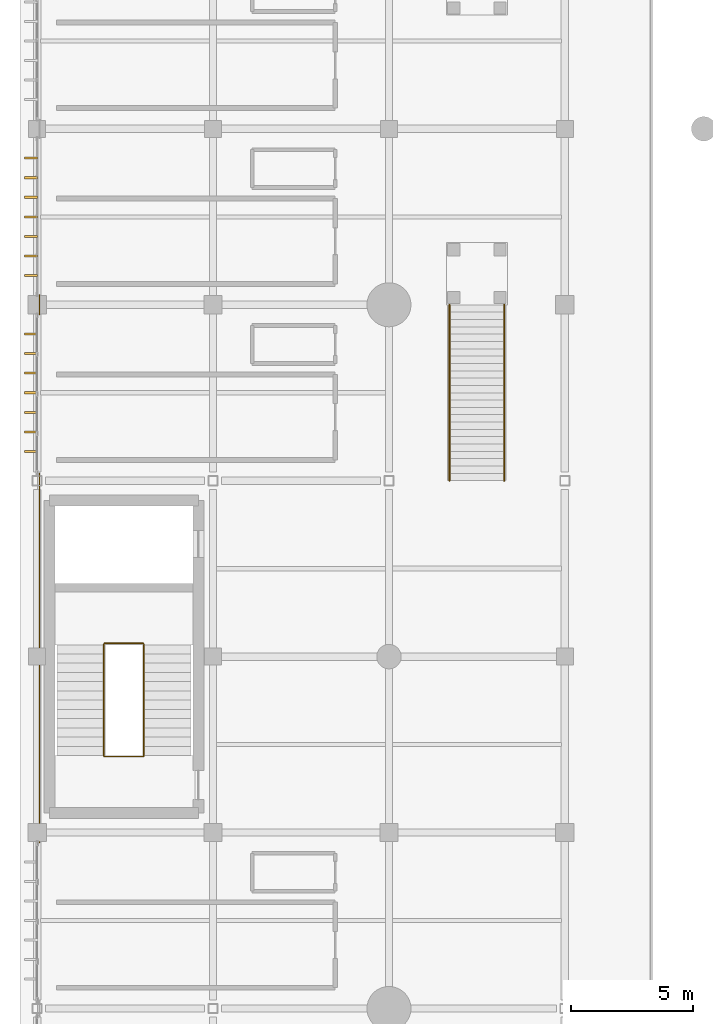
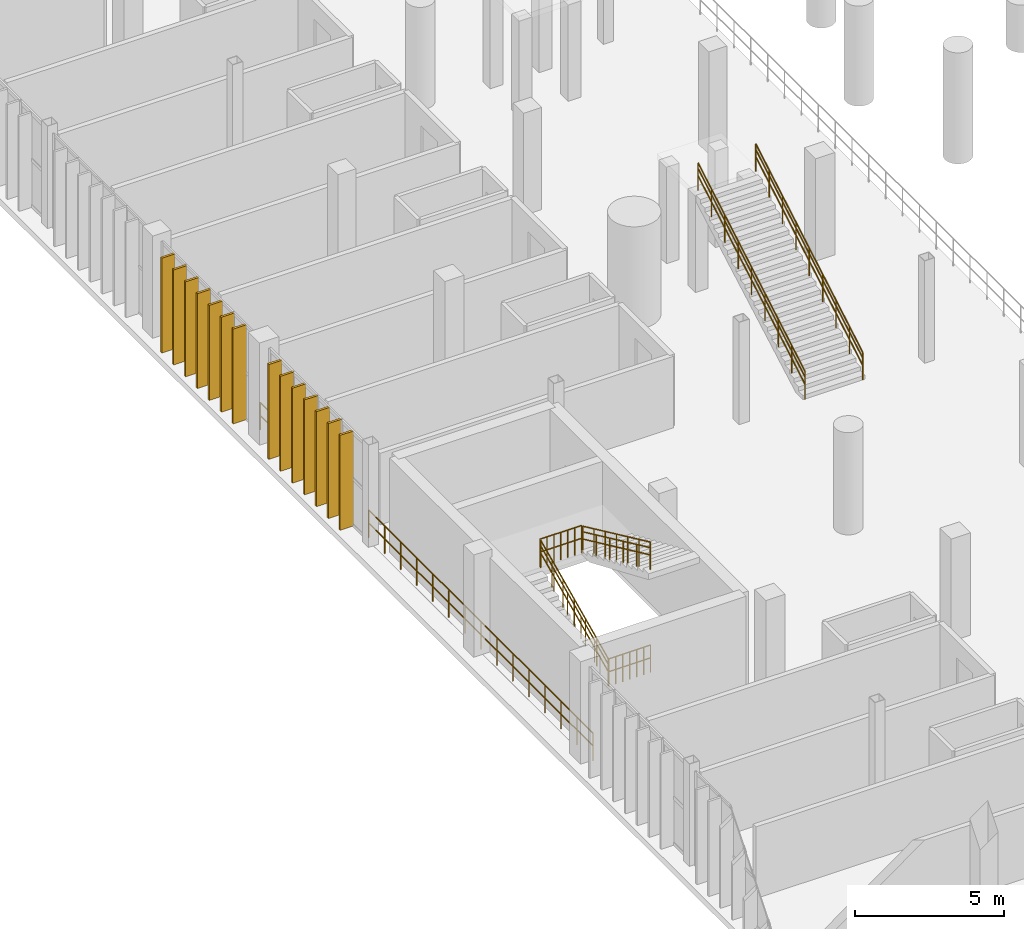
# One storey, part 117 of 130: 14 coverings, 12 railings.
"""IFC4 building model written with IfcOpenShell, lengths in metres."""

from ifc_helpers import new_model, si_unit, direction, frame, origin, origin_2d, place, context, subcontext, project, spatial, rectangle, circle, extrude, material, layer, layer_set, type_object, element, save


model = new_model("IFC4")

# Units and contexts
model_context = context("Model", 3, precision=1e-05, world=origin(), true_north=direction((0.0, 1.0)))
body_context = subcontext(model_context, "Body", "Model", "MODEL_VIEW")
ifc_project = project(units=[si_unit("LENGTHUNIT", "METRE"), si_unit("AREAUNIT", "SQUARE_METRE"), si_unit("VOLUMEUNIT", "CUBIC_METRE"), si_unit("PLANEANGLEUNIT", "RADIAN"), si_unit("MASSUNIT", "GRAM", prefix="KILO")], contexts=[model_context])

# Site, building, storey
site_placement = place(None, origin())
site = spatial("IfcSite", under=ifc_project, at=site_placement, CompositionType="ELEMENT")
building_placement = place(site_placement, origin())
building = spatial("IfcBuilding", under=site, at=building_placement, Name="Qandorah Velis Arena", CompositionType="ELEMENT")
storey_placement = place(building_placement, frame((0.0, 0.0, 9.60009765625)))
storey = spatial("IfcBuildingStorey", under=building, at=storey_placement, Name="L02", CompositionType="ELEMENT", Elevation=9.60009765625)

# Coverings
ifc_material_1 = material(Name="Champagne-bronze anodized aluminium 6063-T6", Category="aluminium")
ifc_layer = layer(ifc_material_1, 0.0849609375)
ifc_layer_set = layer_set([ifc_layer], Name="Champagne-bronze anodized aluminium 6063-T6")
covering_type = type_object("IfcCoveringType", Name="ARC-COV-FIN520", PredefinedType="CLADDING", material=ifc_layer_set)
for number, where, z_axis, x_axis, name in (
    (1, (-0.251953125, 51.60009765625, -0.010009765625), (0.0, 0.0, 1.0), (1.0, 0.0, 0.0), "Vertical champagne-bronze solar fin blade WNG-W-L02-07-001"),
    (2, (-0.251953125, 52.39990234375, -0.010009765625), (0.0, 0.0, 1.0), (1.0, 0.0, 0.0), "Vertical champagne-bronze solar fin blade WNG-W-L02-07-002"),
    (3, (-0.251953125, 53.199951171875, -0.010009765625), (0.0, 0.0, 1.0), (1.0, 0.0, 0.0), "Vertical champagne-bronze solar fin blade WNG-W-L02-07-003"),
    (4, (-0.251953125, 54.0, -0.010009765625), (0.0, 0.0, 1.0), (1.0, 0.0, 0.0), "Vertical champagne-bronze solar fin blade WNG-W-L02-07-004"),
    (5, (-0.251953125, 54.800048828125, -0.010009765625), (0.0, 0.0, 1.0), (1.0, 0.0, 0.0), "Vertical champagne-bronze solar fin blade WNG-W-L02-07-005"),
    (6, (-0.251953125, 55.60009765625, -0.010009765625), (0.0, 0.0, 1.0), (1.0, 0.0, 0.0), "Vertical champagne-bronze solar fin blade WNG-W-L02-07-006"),
    (7, (-0.251953125, 56.39990234375, -0.010009765625), (0.0, 0.0, 1.0), (1.0, 0.0, 0.0), "Vertical champagne-bronze solar fin blade WNG-W-L02-07-007"),
    (8, (-0.251953125, 58.800048828125, -0.010009765625), (0.0, 0.0, 1.0), (1.0, 0.0, 0.0), "Vertical champagne-bronze solar fin blade WNG-W-L02-08-001"),
    (9, (-0.251953125, 59.60009765625, -0.010009765625), (0.0, 0.0, 1.0), (1.0, 0.0, 0.0), "Vertical champagne-bronze solar fin blade WNG-W-L02-08-002"),
    (10, (-0.251953125, 60.39990234375, -0.010009765625), (0.0, 0.0, 1.0), (1.0, 0.0, 0.0), "Vertical champagne-bronze solar fin blade WNG-W-L02-08-003"),
    (11, (-0.251953125, 61.199951171875, -0.010009765625), (0.0, 0.0, 1.0), (1.0, 0.0, 0.0), "Vertical champagne-bronze solar fin blade WNG-W-L02-08-004"),
    (12, (-0.251953125, 62.0, -0.010009765625), (0.0, 0.0, 1.0), (1.0, 0.0, 0.0), "Vertical champagne-bronze solar fin blade WNG-W-L02-08-005"),
    (13, (-0.251953125, 62.800048828125, -0.010009765625), (0.0, 0.0, 1.0), (1.0, 0.0, 0.0), "Vertical champagne-bronze solar fin blade WNG-W-L02-08-006"),
    (14, (-0.251953125, 63.60009765625, -0.010009765625), (0.0, 0.0, 1.0), (1.0, 0.0, 0.0), "Vertical champagne-bronze solar fin blade WNG-W-L02-08-007"),
):
    element("IfcCovering", number, at=place(storey_placement, frame(where, z_axis=z_axis, x_axis=x_axis)), inside=storey, type_object=covering_type, Name=name, PredefinedType="CLADDING", context=body_context, shape_type="SweptSolid", body=[
        extrude(rectangle(XDim=0.52001953125, YDim=0.0849609375, at=origin_2d()), origin(), (0.0, 0.0, 1.0), 3.89990234375),
    ])

# Railings
ifc_material_2 = material(Name="Stainless steel 316", Category="steel")
railing_type_1 = type_object("IfcRailingType", Name="ARC-RL-GRD1150", PredefinedType="GUARDRAIL", material=ifc_material_2)
for number, where, name in (
    (15, (2.739990234375, 39.110107421875, 0.0), "Stair ST5 landing well-slot guardrail L02"),
    (16, (2.739990234375, 43.74609375, 2.099853515625), "Stair ST5 well guardrail (L02)"),
):
    element("IfcRailing", number, at=place(storey_placement, frame(where)), inside=storey, type_object=railing_type_1, Name=name, PredefinedType="GUARDRAIL", context=body_context, shape_type="SweptSolid", body=[
        extrude(circle(Radius=0.02392578125, at=origin_2d()), frame((0.0, 0.0, 1.1259765625), z_axis=(1.0, 0.0, 0.0), x_axis=(0.0, 1.0, 0.0)), (0.0, 0.0, 1.0), 1.6201171875),
        extrude(circle(Radius=0.02392578125, at=origin_2d()), frame((0.0, 0.0, 0.597900390625), z_axis=(1.0, 0.0, 0.0), x_axis=(0.0, 1.0, 0.0)), (0.0, 0.0, 1.0), 1.6201171875),
        extrude(circle(Radius=0.02099609375, at=origin_2d()), origin(), (0.0, 0.0, 1.0), 1.101806640625),
        extrude(circle(Radius=0.02099609375, at=origin_2d()), frame((0.27001953125, 0.0, 0.0)), (0.0, 0.0, 1.0), 1.101806640625),
        extrude(circle(Radius=0.02099609375, at=origin_2d()), frame((0.5400390625, 0.0, 0.0)), (0.0, 0.0, 1.0), 1.101806640625),
        extrude(circle(Radius=0.02099609375, at=origin_2d()), frame((0.81005859375, 0.0, 0.0)), (0.0, 0.0, 1.0), 1.101806640625),
        extrude(circle(Radius=0.02099609375, at=origin_2d()), frame((1.080078125, 0.0, 0.0)), (0.0, 0.0, 1.0), 1.101806640625),
        extrude(circle(Radius=0.02099609375, at=origin_2d()), frame((1.35009765625, 0.0, 0.0)), (0.0, 0.0, 1.0), 1.101806640625),
        extrude(circle(Radius=0.02099609375, at=origin_2d()), frame((1.6201171875, 0.0, 0.0)), (0.0, 0.0, 1.0), 1.101806640625),
    ])
railing_1_placement = place(storey_placement, frame((2.72998046875, 39.14990234375, 0.0)))
element("IfcRailing", 17, at=railing_1_placement, inside=storey, type_object=railing_type_1, Name="Stair ST5 inner flight 1 guardrail (L02)", PredefinedType="GUARDRAIL", context=body_context, shape_type="SweptSolid", body=[
    extrude(circle(Radius=0.02392578125, at=origin_2d()), frame((0.0, 0.0, 1.1259765625), z_axis=(0.0, 0.907482768716, 0.420089305367), x_axis=(-1.0, 0.0, 0.0)), (0.0, 0.0, 1.0), 4.99853515625),
    extrude(circle(Radius=0.02392578125, at=origin_2d()), frame((0.0, 0.0, 0.597900390625), z_axis=(0.0, 0.907482768716, 0.420089305367), x_axis=(-1.0, 0.0, 0.0)), (0.0, 0.0, 1.0), 4.99853515625),
    extrude(circle(Radius=0.02099609375, at=origin_2d()), origin(), (0.0, 0.0, 1.0), 1.101806640625),
    extrude(circle(Radius=0.02099609375, at=origin_2d()), frame((0.0, 0.756103515625, 0.35009765625)), (0.0, 0.0, 1.0), 1.101806640625),
    extrude(circle(Radius=0.02099609375, at=origin_2d()), frame((0.0, 1.511962890625, 0.699951171875)), (0.0, 0.0, 1.0), 1.101806640625),
    extrude(circle(Radius=0.02099609375, at=origin_2d()), frame((0.0, 2.26806640625, 1.0498046875)), (0.0, 0.0, 1.0), 1.101806640625),
    extrude(circle(Radius=0.02099609375, at=origin_2d()), frame((0.0, 3.024169921875, 1.39990234375)), (0.0, 0.0, 1.0), 1.101806640625),
    extrude(circle(Radius=0.02099609375, at=origin_2d()), frame((0.0, 3.780029296875, 1.75)), (0.0, 0.0, 1.0), 1.101806640625),
    extrude(circle(Radius=0.02099609375, at=origin_2d()), frame((0.0, 4.5361328125, 2.099853515625)), (0.0, 0.0, 1.0), 1.101806640625),
])
railing_2_placement = place(storey_placement, frame((4.3701171875, 43.68603515625, 2.099853515625)))
element("IfcRailing", 18, at=railing_2_placement, inside=storey, type_object=railing_type_1, Name="Stair ST5 inner flight 2 guardrail (L02)", PredefinedType="GUARDRAIL", context=body_context, shape_type="SweptSolid", body=[
    extrude(circle(Radius=0.02392578125, at=origin_2d()), frame((0.0, 0.0, 1.1259765625), z_axis=(0.0, -0.907464148506, 0.420129526666), x_axis=(1.0, 0.0, 0.0)), (0.0, 0.0, 1.0), 4.998779296875),
    extrude(circle(Radius=0.02392578125, at=origin_2d()), frame((0.0, 0.0, 0.597900390625), z_axis=(0.0, -0.907464148506, 0.420129526666), x_axis=(1.0, 0.0, 0.0)), (0.0, 0.0, 1.0), 4.998779296875),
    extrude(circle(Radius=0.02099609375, at=origin_2d()), origin(), (0.0, 0.0, 1.0), 1.101806640625),
    extrude(circle(Radius=0.02099609375, at=origin_2d()), frame((0.0, -0.756103515625, 0.35009765625)), (0.0, 0.0, 1.0), 1.101806640625),
    extrude(circle(Radius=0.02099609375, at=origin_2d()), frame((0.0, -1.511962890625, 0.699951171875)), (0.0, 0.0, 1.0), 1.101806640625),
    extrude(circle(Radius=0.02099609375, at=origin_2d()), frame((0.0, -2.26806640625, 1.050048828125)), (0.0, 0.0, 1.0), 1.101806640625),
    extrude(circle(Radius=0.02099609375, at=origin_2d()), frame((0.0, -3.024169921875, 1.400146484375)), (0.0, 0.0, 1.0), 1.101806640625),
    extrude(circle(Radius=0.02099609375, at=origin_2d()), frame((0.0, -3.780029296875, 1.75)), (0.0, 0.0, 1.0), 1.101806640625),
    extrude(circle(Radius=0.02099609375, at=origin_2d()), frame((0.0, -4.5361328125, 2.10009765625)), (0.0, 0.0, 1.0), 1.101806640625),
])
for number, where, name in (
    (19, (16.8798828125, 50.39990234375, 0.0), "Vomitory VS15 left guard (L02)"),
    (20, (19.1201171875, 50.39990234375, 0.0), "Vomitory VS15 right guard (L02)"),
):
    element("IfcRailing", number, at=place(storey_placement, frame(where)), inside=storey, type_object=railing_type_1, Name=name, PredefinedType="GUARDRAIL", context=body_context, shape_type="SweptSolid", body=[
        extrude(circle(Radius=0.02392578125, at=origin_2d()), frame((0.0, 0.0, 1.1259765625), z_axis=(0.0, 0.863787399101, 0.503856456895), x_axis=(-1.0, 0.0, 0.0)), (0.0, 0.0, 1.0), 8.335693359375),
        extrude(circle(Radius=0.02392578125, at=origin_2d()), frame((0.0, 0.0, 0.597900390625), z_axis=(0.0, 0.863787399101, 0.503856456895), x_axis=(-1.0, 0.0, 0.0)), (0.0, 0.0, 1.0), 8.335693359375),
        extrude(circle(Radius=0.02099609375, at=origin_2d()), origin(), (0.0, 0.0, 1.0), 1.101806640625),
        extrude(circle(Radius=0.02099609375, at=origin_2d()), frame((0.0, 0.89990234375, 0.52490234375)), (0.0, 0.0, 1.0), 1.101806640625),
        extrude(circle(Radius=0.02099609375, at=origin_2d()), frame((0.0, 1.800048828125, 1.050048828125)), (0.0, 0.0, 1.0), 1.101806640625),
        extrude(circle(Radius=0.02099609375, at=origin_2d()), frame((0.0, 2.7001953125, 1.574951171875)), (0.0, 0.0, 1.0), 1.101806640625),
        extrude(circle(Radius=0.02099609375, at=origin_2d()), frame((0.0, 3.60009765625, 2.10009765625)), (0.0, 0.0, 1.0), 1.101806640625),
        extrude(circle(Radius=0.02099609375, at=origin_2d()), frame((0.0, 4.5, 2.625)), (0.0, 0.0, 1.0), 1.101806640625),
        extrude(circle(Radius=0.02099609375, at=origin_2d()), frame((0.0, 5.400146484375, 3.14990234375)), (0.0, 0.0, 1.0), 1.101806640625),
        extrude(circle(Radius=0.02099609375, at=origin_2d()), frame((0.0, 6.30029296875, 3.675048828125)), (0.0, 0.0, 1.0), 1.101806640625),
        extrude(circle(Radius=0.02099609375, at=origin_2d()), frame((0.0, 7.2001953125, 4.199951171875)), (0.0, 0.0, 1.0), 1.101806640625),
    ])
railing_3_placement = place(storey_placement, frame((0.10009765625, 35.60009765625, 0.0)))
element("IfcRailing", 21, at=railing_3_placement, inside=storey, type_object=railing_type_1, Name="Slab edge safety guardrail L02-135", PredefinedType="GUARDRAIL", context=body_context, shape_type="SweptSolid", body=[
    extrude(circle(Radius=0.02392578125, at=origin_2d()), frame((0.0, 0.0, 1.1259765625), z_axis=(0.0, 1.0, 0.0), x_axis=(-1.0, 0.0, 0.0)), (0.0, 0.0, 1.0), 15.099853515625),
    extrude(circle(Radius=0.02392578125, at=origin_2d()), frame((0.0, 0.0, 0.597900390625), z_axis=(0.0, 1.0, 0.0), x_axis=(-1.0, 0.0, 0.0)), (0.0, 0.0, 1.0), 15.099853515625),
    extrude(circle(Radius=0.02099609375, at=origin_2d()), origin(), (0.0, 0.0, 1.0), 1.101806640625),
    extrude(circle(Radius=0.02099609375, at=origin_2d()), frame((0.0, 1.07861328125, 0.0)), (0.0, 0.0, 1.0), 1.101806640625),
    extrude(circle(Radius=0.02099609375, at=origin_2d()), frame((0.0, 2.1572265625, 0.0)), (0.0, 0.0, 1.0), 1.101806640625),
    extrude(circle(Radius=0.02099609375, at=origin_2d()), frame((0.0, 3.235595703125, 0.0)), (0.0, 0.0, 1.0), 1.101806640625),
    extrude(circle(Radius=0.02099609375, at=origin_2d()), frame((0.0, 4.314208984375, 0.0)), (0.0, 0.0, 1.0), 1.101806640625),
    extrude(circle(Radius=0.02099609375, at=origin_2d()), frame((0.0, 5.392822265625, 0.0)), (0.0, 0.0, 1.0), 1.101806640625),
    extrude(circle(Radius=0.02099609375, at=origin_2d()), frame((0.0, 6.471435546875, 0.0)), (0.0, 0.0, 1.0), 1.101806640625),
    extrude(circle(Radius=0.02099609375, at=origin_2d()), frame((0.0, 7.5498046875, 0.0)), (0.0, 0.0, 1.0), 1.101806640625),
    extrude(circle(Radius=0.02099609375, at=origin_2d()), frame((0.0, 8.62841796875, 0.0)), (0.0, 0.0, 1.0), 1.101806640625),
    extrude(circle(Radius=0.02099609375, at=origin_2d()), frame((0.0, 9.70703125, 0.0)), (0.0, 0.0, 1.0), 1.101806640625),
    extrude(circle(Radius=0.02099609375, at=origin_2d()), frame((0.0, 10.78564453125, 0.0)), (0.0, 0.0, 1.0), 1.101806640625),
    extrude(circle(Radius=0.02099609375, at=origin_2d()), frame((0.0, 11.8642578125, 0.0)), (0.0, 0.0, 1.0), 1.101806640625),
    extrude(circle(Radius=0.02099609375, at=origin_2d()), frame((0.0, 12.942626953125, 0.0)), (0.0, 0.0, 1.0), 1.101806640625),
    extrude(circle(Radius=0.02099609375, at=origin_2d()), frame((0.0, 14.021240234375, 0.0)), (0.0, 0.0, 1.0), 1.101806640625),
    extrude(circle(Radius=0.02099609375, at=origin_2d()), frame((0.0, 15.099853515625, 0.0)), (0.0, 0.0, 1.0), 1.101806640625),
])
railing_4_placement = place(storey_placement, frame((0.10009765625, 57.199951171875, 0.0)))
element("IfcRailing", 22, at=railing_4_placement, inside=storey, type_object=railing_type_1, Name="Slab edge safety guardrail L02-136", PredefinedType="GUARDRAIL", context=body_context, shape_type="SweptSolid", body=[
    extrude(circle(Radius=0.02392578125, at=origin_2d()), frame((0.0, 0.0, 1.1259765625), z_axis=(0.0, 1.0, 0.0), x_axis=(-1.0, 0.0, 0.0)), (0.0, 0.0, 1.0), 0.800048828125),
    extrude(circle(Radius=0.02392578125, at=origin_2d()), frame((0.0, 0.0, 0.597900390625), z_axis=(0.0, 1.0, 0.0), x_axis=(-1.0, 0.0, 0.0)), (0.0, 0.0, 1.0), 0.800048828125),
    extrude(circle(Radius=0.02099609375, at=origin_2d()), origin(), (0.0, 0.0, 1.0), 1.101806640625),
    extrude(circle(Radius=0.02099609375, at=origin_2d()), frame((0.0, 0.800048828125, 0.0)), (0.0, 0.0, 1.0), 1.101806640625),
])
railing_type_2 = type_object("IfcRailingType", Name="ARC-RL-HND920", PredefinedType="HANDRAIL", material=ifc_material_2)
railing_5_placement = place(storey_placement, frame((2.72998046875, 39.14990234375, 0.0)))
element("IfcRailing", 23, at=railing_5_placement, inside=storey, type_object=railing_type_2, Name="Stair ST5 inner handrail 1 (L02)", PredefinedType="HANDRAIL", context=body_context, shape_type="SweptSolid", body=[
    extrude(circle(Radius=0.02392578125, at=origin_2d()), frame((0.0, 0.0, 0.89599609375), z_axis=(0.0, 0.907482768716, 0.420089305367), x_axis=(-1.0, 0.0, 0.0)), (0.0, 0.0, 1.0), 4.99853515625),
    extrude(circle(Radius=0.02099609375, at=origin_2d()), origin(), (0.0, 0.0, 1.0), 0.871826171875),
    extrude(circle(Radius=0.02099609375, at=origin_2d()), frame((0.0, 0.9072265625, 0.419921875)), (0.0, 0.0, 1.0), 0.871826171875),
    extrude(circle(Radius=0.02099609375, at=origin_2d()), frame((0.0, 1.814453125, 0.83984375)), (0.0, 0.0, 1.0), 0.871826171875),
    extrude(circle(Radius=0.02099609375, at=origin_2d()), frame((0.0, 2.7216796875, 1.260009765625)), (0.0, 0.0, 1.0), 0.871826171875),
    extrude(circle(Radius=0.02099609375, at=origin_2d()), frame((0.0, 3.62890625, 1.679931640625)), (0.0, 0.0, 1.0), 0.871826171875),
    extrude(circle(Radius=0.02099609375, at=origin_2d()), frame((0.0, 4.5361328125, 2.099853515625)), (0.0, 0.0, 1.0), 0.871826171875),
])
railing_6_placement = place(storey_placement, frame((4.3701171875, 43.68603515625, 2.099853515625)))
element("IfcRailing", 24, at=railing_6_placement, inside=storey, type_object=railing_type_2, Name="Stair ST5 inner handrail 2 (L02)", PredefinedType="HANDRAIL", context=body_context, shape_type="SweptSolid", body=[
    extrude(circle(Radius=0.02392578125, at=origin_2d()), frame((0.0, 0.0, 0.89599609375), z_axis=(0.0, -0.907464148506, 0.420129526666), x_axis=(1.0, 0.0, 0.0)), (0.0, 0.0, 1.0), 4.998779296875),
    extrude(circle(Radius=0.02099609375, at=origin_2d()), origin(), (0.0, 0.0, 1.0), 0.871826171875),
    extrude(circle(Radius=0.02099609375, at=origin_2d()), frame((0.0, -0.9072265625, 0.419921875)), (0.0, 0.0, 1.0), 0.871826171875),
    extrude(circle(Radius=0.02099609375, at=origin_2d()), frame((0.0, -1.814453125, 0.840087890625)), (0.0, 0.0, 1.0), 0.871826171875),
    extrude(circle(Radius=0.02099609375, at=origin_2d()), frame((0.0, -2.7216796875, 1.260009765625)), (0.0, 0.0, 1.0), 0.871826171875),
    extrude(circle(Radius=0.02099609375, at=origin_2d()), frame((0.0, -3.62890625, 1.68017578125)), (0.0, 0.0, 1.0), 0.871826171875),
    extrude(circle(Radius=0.02099609375, at=origin_2d()), frame((0.0, -4.5361328125, 2.10009765625)), (0.0, 0.0, 1.0), 0.871826171875),
])
for number, where, name in (
    (25, (16.8798828125, 50.39990234375, 0.0), "Vomitory VS15 left handrail"),
    (26, (19.1201171875, 50.39990234375, 0.0), "Vomitory VS15 right handrail"),
):
    element("IfcRailing", number, at=place(storey_placement, frame(where)), inside=storey, type_object=railing_type_2, Name=name, PredefinedType="HANDRAIL", context=body_context, shape_type="SweptSolid", body=[
        extrude(circle(Radius=0.02392578125, at=origin_2d()), frame((0.0, 0.0, 0.89599609375), z_axis=(0.0, 0.863787399101, 0.503856456895), x_axis=(-1.0, 0.0, 0.0)), (0.0, 0.0, 1.0), 8.335693359375),
        extrude(circle(Radius=0.02099609375, at=origin_2d()), origin(), (0.0, 0.0, 1.0), 0.871826171875),
        extrude(circle(Radius=0.02099609375, at=origin_2d()), frame((0.0, 0.89990234375, 0.52490234375)), (0.0, 0.0, 1.0), 0.871826171875),
        extrude(circle(Radius=0.02099609375, at=origin_2d()), frame((0.0, 1.800048828125, 1.050048828125)), (0.0, 0.0, 1.0), 0.871826171875),
        extrude(circle(Radius=0.02099609375, at=origin_2d()), frame((0.0, 2.7001953125, 1.574951171875)), (0.0, 0.0, 1.0), 0.871826171875),
        extrude(circle(Radius=0.02099609375, at=origin_2d()), frame((0.0, 3.60009765625, 2.10009765625)), (0.0, 0.0, 1.0), 0.871826171875),
        extrude(circle(Radius=0.02099609375, at=origin_2d()), frame((0.0, 4.5, 2.625)), (0.0, 0.0, 1.0), 0.871826171875),
        extrude(circle(Radius=0.02099609375, at=origin_2d()), frame((0.0, 5.400146484375, 3.14990234375)), (0.0, 0.0, 1.0), 0.871826171875),
        extrude(circle(Radius=0.02099609375, at=origin_2d()), frame((0.0, 6.30029296875, 3.675048828125)), (0.0, 0.0, 1.0), 0.871826171875),
        extrude(circle(Radius=0.02099609375, at=origin_2d()), frame((0.0, 7.2001953125, 4.199951171875)), (0.0, 0.0, 1.0), 0.871826171875),
    ])

save(model, "model.ifc")
